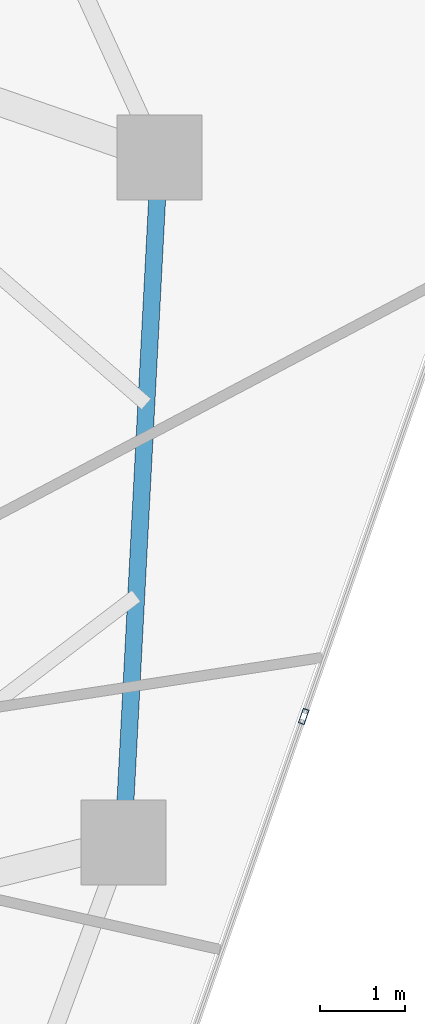
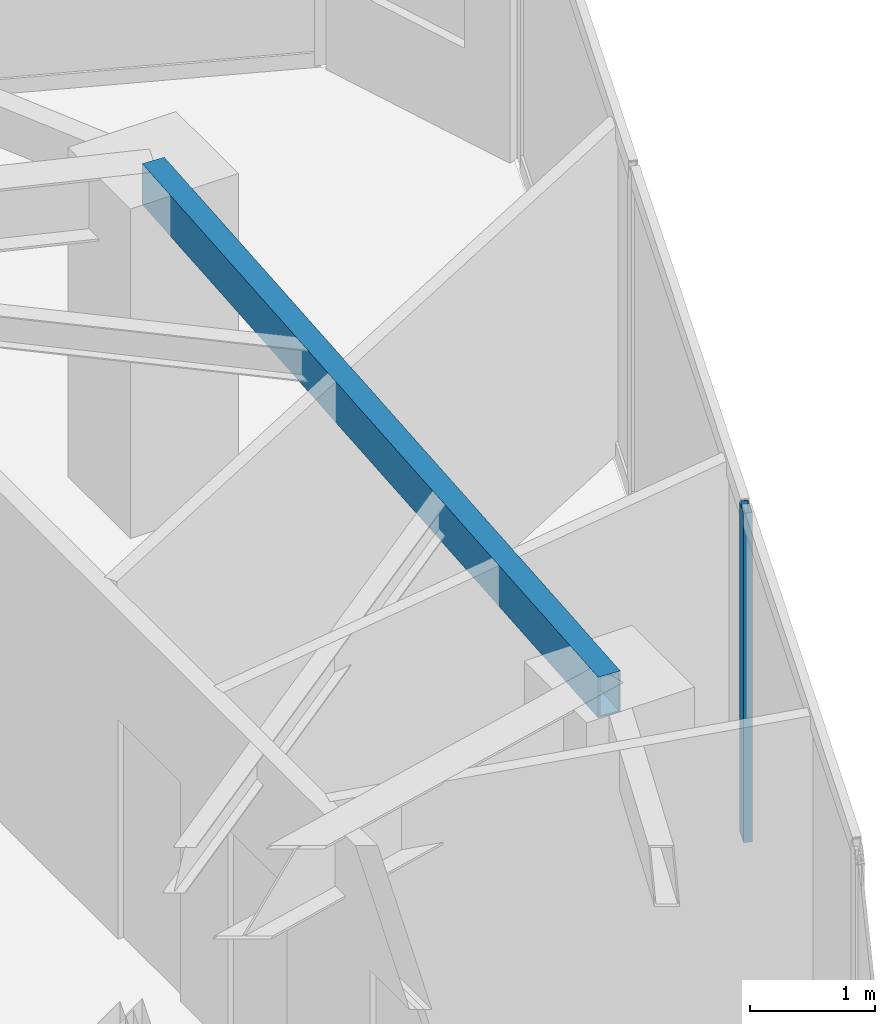
# One storey, part 10 of 20: 1 beam, 1 member, 1 element without a shape of its own.
"""IFC4 building model written with IfcOpenShell, lengths in metres."""

import ifcopenshell
import ifcopenshell.guid

model = None  # the IFC model being written
_history = None  # IfcOwnerHistory: only IFC2X3 demands one
_inside = {}  # id of a spatial element -> (the spatial element, [elements in it])
_under = {}  # id of a project, library or spatial element -> (it, [spatial elements below it])
_declared = {}  # id of a project -> (the project, [libraries it declares])
_typed = {}  # id of a type object -> (the type object, [elements of that type])
_made_of = {}  # id of a material, layer set ... -> (it, [elements and type objects made of it])


def new_model(schema):
    """Start an empty IFC model of exactly this schema.

    Asked for "IFC4X3", IfcOpenShell would pick the latest addendum, in which some entities
    have other attributes; the version numbers below select the first issue.
    IFC2X3 requires an IfcOwnerHistory on every rooted entity: one is made here for all.
    """
    global model, _history
    if schema == "IFC4X3":
        model = ifcopenshell.file(schema_version=(4, 3, 0, 0))
    else:
        model = ifcopenshell.file(schema=schema)
    _inside.clear()
    _under.clear()
    _declared.clear()
    _typed.clear()
    _made_of.clear()
    _history = None
    if model.schema == "IFC2X3":
        org = make("IfcOrganization", Name="unknown")
        user = make(
            "IfcPersonAndOrganization",
            ThePerson=make("IfcPerson", FamilyName="unknown"),
            TheOrganization=org,
        )
        app = make(
            "IfcApplication",
            ApplicationDeveloper=org,
            Version="unknown",
            ApplicationFullName="unknown",
            ApplicationIdentifier="unknown",
        )
        _history = make(
            "IfcOwnerHistory",
            OwningUser=user,
            OwningApplication=app,
            ChangeAction="ADDED",
            CreationDate=0,
        )
    return model


def make(cls, **values):
    """One entity of the class cls with the attributes given. An attribute that is None is left unset."""
    return model.create_entity(
        cls, **{name: value for name, value in values.items() if value is not None}
    )


def rooted(cls, **values):
    """An entity with a GlobalId (a new one), such as an element, a storey or a relation."""
    return make(cls, GlobalId=ifcopenshell.guid.new(), OwnerHistory=_history, **values)


def si_unit(unit_type, name, prefix=None):
    """IfcSIUnit, for example si_unit("LENGTHUNIT", "METRE", prefix="MILLI")."""
    return make("IfcSIUnit", UnitType=unit_type, Prefix=prefix, Name=name)


def assignment(units):
    """IfcUnitAssignment: the units of a project."""
    return None if units is None else make("IfcUnitAssignment", Units=units)


def point(xyz):
    """IfcCartesianPoint."""
    return None if xyz is None else make("IfcCartesianPoint", Coordinates=xyz)


def direction(xyz):
    """IfcDirection."""
    return None if xyz is None else make("IfcDirection", DirectionRatios=xyz)


def frame(location, z_axis=None, x_axis=None):
    """IfcAxis2Placement3D, a coordinate frame: its origin and axes. An axis left out is left unset."""
    return make(
        "IfcAxis2Placement3D",
        Location=point(location),
        Axis=direction(z_axis),
        RefDirection=direction(x_axis),
    )


def frame_2d(location, x_axis=None):
    """IfcAxis2Placement2D, a coordinate frame in the plane: its origin and x axis."""
    return make(
        "IfcAxis2Placement2D", Location=point(location), RefDirection=direction(x_axis)
    )


def origin():
    """The frame at (0, 0, 0) with its axes left unset."""
    return frame((0.0, 0.0, 0.0))


def origin_2d():
    """The frame at (0, 0) in the plane with its x axis left unset."""
    return frame_2d((0.0, 0.0))


def place(relative_to, where):
    """IfcLocalPlacement: puts the frame where relative to a parent placement (None: the world)."""
    return make(
        "IfcLocalPlacement", PlacementRelTo=relative_to, RelativePlacement=where
    )


def context(
    kind, dimensions, precision=None, world=None, true_north=None, identifier=None
):
    """IfcGeometricRepresentationContext, for example the 3D "Model" context."""
    return make(
        "IfcGeometricRepresentationContext",
        ContextIdentifier=identifier,
        ContextType=kind,
        CoordinateSpaceDimension=dimensions,
        Precision=precision,
        WorldCoordinateSystem=world,
        TrueNorth=true_north,
    )


def subcontext(parent, identifier, kind, view, scale=None):
    """IfcGeometricRepresentationSubContext, for example "Body" below "Model"."""
    return make(
        "IfcGeometricRepresentationSubContext",
        ContextIdentifier=identifier,
        ContextType=kind,
        ParentContext=parent,
        TargetScale=scale,
        TargetView=view,
    )


def project(units=None, contexts=None):
    """IfcProject with its units and contexts."""
    return rooted(
        "IfcProject",
        Name="project",
        RepresentationContexts=contexts,
        UnitsInContext=assignment(units),
    )


def spatial(cls, under=None, at=None, **own):
    """A site, building, storey or space (cls), placed at a placement, below another one or the project."""
    s = rooted(cls, ObjectPlacement=at, **own)
    if under is not None:
        _under.setdefault(under.id(), (under, []))[1].append(s)
    return s


def profile(cls, at=None, kind="AREA", **sizes):
    """A parametric profile (cls). Its sizes go by their IFC names, for example OverallWidth=200.0."""
    return make(cls, ProfileType=kind, Position=at, **sizes)


def hollow_rectangle(**sizes):
    """IfcRectangleHollowProfileDef."""
    return profile("IfcRectangleHollowProfileDef", **sizes)


def extrude(swept, where, along, depth):
    """IfcExtrudedAreaSolid: the profile swept, set in the frame where, extruded along a direction by depth."""
    return make(
        "IfcExtrudedAreaSolid",
        SweptArea=swept,
        Position=where,
        ExtrudedDirection=direction(along),
        Depth=depth,
    )


def shape(context_of_items, identifier, shape_type, items):
    """IfcShapeRepresentation: the items that make up one representation, for example the "Body"."""
    return make(
        "IfcShapeRepresentation",
        ContextOfItems=context_of_items,
        RepresentationIdentifier=identifier,
        RepresentationType=shape_type,
        Items=items,
    )


def source(mapping_origin, context_of_items, identifier, shape_type, items):
    """IfcRepresentationMap: a shape defined once, which mapped items show again and again."""
    return make(
        "IfcRepresentationMap",
        MappingOrigin=mapping_origin,
        MappedRepresentation=shape(context_of_items, identifier, shape_type, items),
    )


def transform(
    local_origin,
    x_axis=None,
    y_axis=None,
    z_axis=None,
    scale=None,
    scale2=None,
    scale3=None,
    uniform=True,
):
    """IfcCartesianTransformationOperator3D, or its non-uniform kind. x_axis, y_axis, z_axis: its Axis1, 2, 3."""
    if uniform:
        return make(
            "IfcCartesianTransformationOperator3D",
            Axis1=direction(x_axis),
            Axis2=direction(y_axis),
            LocalOrigin=point(local_origin),
            Scale=scale,
            Axis3=direction(z_axis),
        )
    return make(
        "IfcCartesianTransformationOperator3DnonUniform",
        Axis1=direction(x_axis),
        Axis2=direction(y_axis),
        LocalOrigin=point(local_origin),
        Scale=scale,
        Axis3=direction(z_axis),
        Scale2=scale2,
        Scale3=scale3,
    )


def mapped(mapping_source, mapping_target):
    """IfcMappedItem: shows the shape of a source again, moved by a transform."""
    return make(
        "IfcMappedItem", MappingSource=mapping_source, MappingTarget=mapping_target
    )


def material(Name=None, Category=None):
    """IfcMaterial."""
    return make("IfcMaterial", Name=Name, Category=Category)


def layer(
    of_material, thickness, ventilated=None, Name=None, Category=None, Priority=None
):
    """IfcMaterialLayer: one layer of a wall or slab, of a material (None: an air gap)."""
    return make(
        "IfcMaterialLayer",
        Material=of_material,
        LayerThickness=thickness,
        IsVentilated=ventilated,
        Name=Name,
        Category=Category,
        Priority=Priority,
    )


def layer_set(layers, Name=None):
    """IfcMaterialLayerSet."""
    return make("IfcMaterialLayerSet", MaterialLayers=layers, LayerSetName=Name)


def material_profile(
    of_material, cross_section, Name=None, Category=None, Priority=None
):
    """IfcMaterialProfile: a cross section and its material."""
    return make(
        "IfcMaterialProfile",
        Name=Name,
        Material=of_material,
        Profile=cross_section,
        Priority=Priority,
        Category=Category,
    )


def profile_set(profiles, Name=None, composite=None):
    """IfcMaterialProfileSet."""
    return make(
        "IfcMaterialProfileSet",
        Name=Name,
        MaterialProfiles=profiles,
        CompositeProfile=composite,
    )


def made_of(thing, what):
    """Note that an element or type object is made of a material, layer set ...; save() writes the relation."""
    if what is not None:
        _made_of.setdefault(what.id(), (what, []))[1].append(thing)
    return thing


def type_object(cls, material=None, **own):
    """A type object (cls), such as IfcWallType, which elements share."""
    return made_of(rooted(cls, **own), material)


def type_shapes(of_type, sources):
    """Give a type object the sources (RepresentationMaps) that its elements show as mapped items."""
    of_type.RepresentationMaps = sources


def element(
    cls,
    number,
    at=None,
    inside=None,
    cuts=None,
    type_object=None,
    material=None,
    context=None,
    identifier="Body",
    shape_type=None,
    held_by="IfcProductDefinitionShape",
    body=None,
    shapes=None,
    **own,
):
    """One element of the class cls, such as IfcWall. Its Tag is "e" and its number.

    at: its placement. inside: the storey or other place that contains it. cuts: it is an
    opening in that element (IfcRelVoidsElement). A single representation is given by context,
    identifier, shape_type and body (its items); several are given by shapes. held_by: the class
    of the entity that holds the representations. save() writes the other relations.
    """
    e = rooted(cls, Tag="e%d" % number, ObjectPlacement=at, **own)
    if body is not None:
        shapes = [shape(context, identifier, shape_type, body)]
    if shapes is not None:
        e.Representation = make(held_by, Representations=shapes)
    if inside is not None:
        _inside.setdefault(inside.id(), (inside, []))[1].append(e)
    if cuts is not None:
        rooted(
            "IfcRelVoidsElement", RelatingBuildingElement=cuts, RelatedOpeningElement=e
        )
    if type_object is not None:
        _typed.setdefault(type_object.id(), (type_object, []))[1].append(e)
    return made_of(e, material)


def aggregate(whole, parts):
    """IfcRelAggregates: a whole, such as a stair, and the parts it consists of."""
    return rooted("IfcRelAggregates", RelatingObject=whole, RelatedObjects=parts)


def save(model, path):
    """Write the relations noted so far, then the file.

    IfcRelAggregates (storeys below a building ...), IfcRelContainedInSpatialStructure (elements
    in a storey), IfcRelDefinesByType, IfcRelAssociatesMaterial and IfcRelDeclares: one each for
    every whole, place, type object, material and project.
    """
    for whole, parts in _under.values():
        aggregate(whole, parts)
    for where, things in _inside.values():
        rooted(
            "IfcRelContainedInSpatialStructure",
            RelatedElements=things,
            RelatingStructure=where,
        )
    for kind, things in _typed.values():
        rooted("IfcRelDefinesByType", RelatedObjects=things, RelatingType=kind)
    for what, things in _made_of.values():
        rooted("IfcRelAssociatesMaterial", RelatedObjects=things, RelatingMaterial=what)
    for by, libraries in _declared.values():
        rooted("IfcRelDeclares", RelatingContext=by, RelatedDefinitions=libraries)
    model.write(path)


model = new_model("IFC4")

# Units and contexts
model_context = context("Model", 3, precision=1e-05, world=origin(), true_north=direction((0.0, 1.0)))
body_context = subcontext(model_context, "Body", "Model", "MODEL_VIEW")
ifc_project = project(units=[si_unit("LENGTHUNIT", "METRE"), si_unit("AREAUNIT", "SQUARE_METRE"), si_unit("VOLUMEUNIT", "CUBIC_METRE"), si_unit("PLANEANGLEUNIT", "RADIAN"), si_unit("MASSUNIT", "GRAM", prefix="KILO")], contexts=[model_context])

# Site, building, storey
site_placement = place(None, origin())
site = spatial("IfcSite", under=ifc_project, at=site_placement, CompositionType="ELEMENT")
building_placement = place(site_placement, origin())
building = spatial("IfcBuilding", under=site, at=building_placement, Name="Talar Marvaseh", CompositionType="ELEMENT")
storey_placement = place(building_placement, frame((0.0, 0.0, 170.5)))
storey = spatial("IfcBuildingStorey", under=building, at=storey_placement, Name="L44", CompositionType="ELEMENT", Elevation=170.5)

# Beam
ifc_material_1 = material(Name="Steel S355", Category="steel")
ifc_material_profile_1 = material_profile(ifc_material_1, hollow_rectangle(XDim=0.199951171875, YDim=0.39990234375, WallThickness=0.013916015625, at=origin_2d()), Name="RHS400x200x14")
ifc_profile_set_1 = profile_set([ifc_material_profile_1], Name="Steel S355")
beam_type = type_object("IfcBeamType", Name="Zone 3 Perimeter Spandrel Beam RHS400x200x14", PredefinedType="SPANDREL", material=ifc_profile_set_1)
beam_placement = place(storey_placement, frame((39.113037109375, 34.884033203125, 3.030029296875), z_axis=(-0.052541369293, -0.998618748328, 0.0), x_axis=(0.998618748328, -0.052541369293, 0.0)))
element("IfcBeam", 1, at=beam_placement, inside=storey, type_object=beam_type, Name="L44 Zone 3 Perimeter Spandrel Beam RHS400x200x14", PredefinedType="SPANDREL", context=body_context, shape_type="SweptSolid", body=[
    extrude(hollow_rectangle(XDim=0.199951171875, YDim=0.39990234375, WallThickness=0.013916015625, at=origin_2d()), origin(), (0.0, 0.0, 1.0), 8.0712890625),
])

# Curtain wall, member
ifc_material_2 = material(Name="Architectural Aluminium", Category="aluminium")
ifc_layer = layer(ifc_material_2, 0.18994140625)
ifc_layer_set = layer_set([ifc_layer], Name="Architectural Aluminium")
curtain_wall_type = type_object("IfcCurtainWallType", Name="Unitised Solar Atelier Curtain Wall Z3", PredefinedType="NOTDEFINED", material=ifc_layer_set)
curtain_wall_placement = place(storey_placement, origin())
curtain_wall = element("IfcCurtainWall", 2, at=curtain_wall_placement, inside=storey, type_object=curtain_wall_type, Name="L44 Unitised Solar Atelier Curtain Wall Z3", PredefinedType="NOTDEFINED")
ifc_material_profile_2 = material_profile(ifc_material_2, hollow_rectangle(XDim=0.074951171875, YDim=0.179931640625, WallThickness=0.0048828125, at=origin_2d()), Name="RHS180x75x5")
ifc_profile_set_2 = profile_set([ifc_material_profile_2], Name="Architectural Aluminium")
member_type = type_object("IfcMemberType", Name="Unitised Curtain Wall Standard Mullion RHS180x75x5", PredefinedType="MULLION", material=ifc_profile_set_2)
shared_shape = source(origin(), body_context, "Body", "SweptSolid", [
    extrude(hollow_rectangle(XDim=0.074951171875, YDim=0.179931640625, WallThickness=0.0048828125, at=origin_2d()), origin(), (0.0, 0.0, 1.0), 3.22998046875),
])
type_shapes(member_type, [shared_shape])
member_placement = place(storey_placement, frame((40.81201171875, 28.306396484375, 0.0), z_axis=(0.0, 0.0, 1.0), x_axis=(0.944037331533, -0.329838622166, 0.0)))
member = element("IfcMember", 3, at=member_placement, type_object=member_type, Name="CW-Z3 mullion 3", PredefinedType="MULLION", context=body_context, shape_type="MappedRepresentation", body=[
    mapped(shared_shape, transform((0.0, 0.0, 0.0), x_axis=(1.0, 0.0, 0.0), y_axis=(0.0, 1.0, 0.0), z_axis=(0.0, 0.0, 1.0), scale=1.0)),
])
aggregate(curtain_wall, [member])

save(model, "model.ifc")
